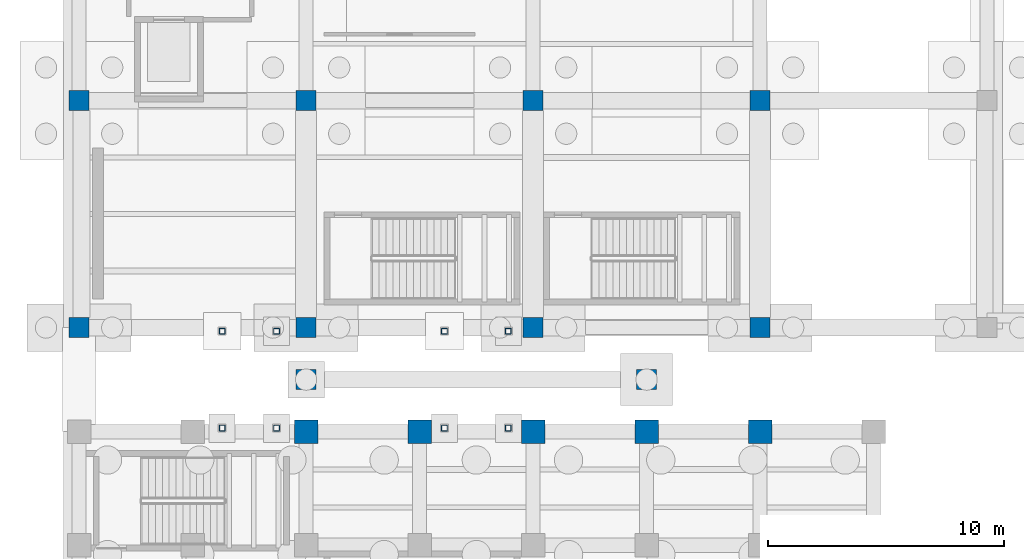
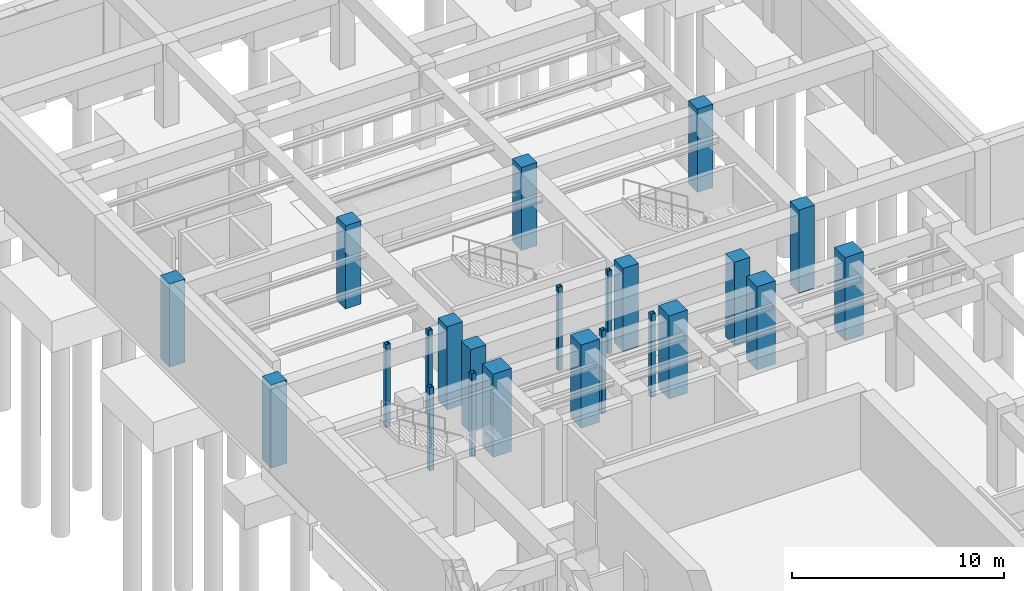
# One storey, part 18 of 56: 23 columns.
"""IFC4 building model written with IfcOpenShell, lengths in metres."""

from ifc_helpers import new_model, si_unit, direction, frame, origin, origin_2d, place, context, subcontext, project, spatial, rectangle, hollow_rectangle, extrude, material, material_profile, profile_set, type_object, element, save


model = new_model("IFC4")

# Units and contexts
model_context = context("Model", 3, precision=1e-05, world=origin(), true_north=direction((0.0, 1.0)))
body_context = subcontext(model_context, "Body", "Model", "MODEL_VIEW")
ifc_project = project(units=[si_unit("LENGTHUNIT", "METRE"), si_unit("AREAUNIT", "SQUARE_METRE"), si_unit("VOLUMEUNIT", "CUBIC_METRE"), si_unit("PLANEANGLEUNIT", "RADIAN"), si_unit("MASSUNIT", "GRAM", prefix="KILO")], contexts=[model_context])

# Site, building, storey
site_placement = place(None, origin())
site = spatial("IfcSite", under=ifc_project, at=site_placement, CompositionType="ELEMENT")
building_placement = place(site_placement, origin())
building = spatial("IfcBuilding", under=site, at=building_placement, Name="Mavantir Sound Aquarium", CompositionType="ELEMENT")
storey_placement = place(building_placement, frame((0.0, 0.0, -9.60009765625)))
storey = spatial("IfcBuildingStorey", under=building, at=storey_placement, Name="B2", CompositionType="ELEMENT", Elevation=-9.60009765625)

# Columns
ifc_material_1 = material(Name="Concrete C40/50", Category="concrete")
ifc_material_profile_1 = material_profile(ifc_material_1, rectangle(XDim=1.0, YDim=1.0, at=origin_2d()), Name="RC 1000X1000")
ifc_profile_set_1 = profile_set([ifc_material_profile_1], Name="Concrete C40/50")
column_type_1 = type_object("IfcColumnType", Name="COL-RC1000-I", PredefinedType="COLUMN", material=ifc_profile_set_1)
for number, where, z_axis, x_axis, name in (
    (1, (9.60009765625, 79.199951171875, 0.0), (0.0, 0.0, 1.0), (1.0, 0.0, 0.0), "B2 column RC-C10 (V1)"),
    (2, (14.39990234375, 79.199951171875, 0.0), (0.0, 0.0, 1.0), (1.0, 0.0, 0.0), "B2 column RC-C10 (V1)"),
    (3, (19.199951171875, 79.199951171875, 0.0), (0.0, 0.0, 1.0), (1.0, 0.0, 0.0), "B2 column RC-C10 (V1)"),
    (4, (24.0, 79.199951171875, 0.0), (0.0, 0.0, 1.0), (1.0, 0.0, 0.0), "B2 column RC-C10 (V1)"),
    (5, (28.800048828125, 79.199951171875, 0.0), (0.0, 0.0, 1.0), (1.0, 0.0, 0.0), "B2 column RC-C10 (V1)"),
):
    element("IfcColumn", number, at=place(storey_placement, frame(where, z_axis=z_axis, x_axis=x_axis)), inside=storey, type_object=column_type_1, Name=name, PredefinedType="COLUMN", context=body_context, shape_type="SweptSolid", body=[
        extrude(rectangle(XDim=1.0, YDim=1.0, at=origin_2d()), origin(), (0.0, 0.0, 1.0), 4.800048828125),
    ])
ifc_material_profile_2 = material_profile(ifc_material_1, rectangle(XDim=0.85009765625, YDim=0.85009765625, at=origin_2d()), Name="RC 850X850")
ifc_profile_set_2 = profile_set([ifc_material_profile_2], Name="Concrete C40/50")
column_type_2 = type_object("IfcColumnType", Name="COL-RC850-E", PredefinedType="COLUMN", material=ifc_profile_set_2)
for number, where, z_axis, x_axis, name in (
    (6, (0.0, 83.60009765625, 0.0), (0.0, 0.0, 1.0), (1.0, 0.0, 0.0), "B2 column RC-C85 (V5)"),
    (7, (0.0, 93.199951171875, 0.0), (0.0, 0.0, 1.0), (1.0, 0.0, 0.0), "B2 column RC-C85 (V5)"),
):
    element("IfcColumn", number, at=place(storey_placement, frame(where, z_axis=z_axis, x_axis=x_axis)), inside=storey, type_object=column_type_2, Name=name, PredefinedType="COLUMN", context=body_context, shape_type="SweptSolid", body=[
        extrude(rectangle(XDim=0.85009765625, YDim=0.85009765625, at=origin_2d()), origin(), (0.0, 0.0, 1.0), 4.800048828125),
    ])
ifc_material_profile_3 = material_profile(ifc_material_1, rectangle(XDim=0.85009765625, YDim=0.85009765625, at=origin_2d()), Name="RC 850X850")
ifc_profile_set_3 = profile_set([ifc_material_profile_3], Name="Concrete C40/50")
column_type_3 = type_object("IfcColumnType", Name="COL-RC850-I", PredefinedType="COLUMN", material=ifc_profile_set_3)
for number, where, z_axis, x_axis, name in (
    (8, (9.60009765625, 83.60009765625, 0.0), (0.0, 0.0, 1.0), (1.0, 0.0, 0.0), "B2 column RC-C85 (V5)"),
    (9, (9.60009765625, 93.199951171875, 0.0), (0.0, 0.0, 1.0), (1.0, 0.0, 0.0), "B2 column RC-C85 (V5)"),
    (10, (19.199951171875, 83.60009765625, 0.0), (0.0, 0.0, 1.0), (1.0, 0.0, 0.0), "B2 column RC-C85 (V5)"),
    (11, (19.199951171875, 93.199951171875, 0.0), (0.0, 0.0, 1.0), (1.0, 0.0, 0.0), "B2 column RC-C85 (V5)"),
    (12, (28.800048828125, 83.60009765625, 0.0), (0.0, 0.0, 1.0), (1.0, 0.0, 0.0), "B2 column RC-C85 (V5)"),
    (13, (28.800048828125, 93.199951171875, 0.0), (0.0, 0.0, 1.0), (1.0, 0.0, 0.0), "B2 column RC-C85 (V5)"),
    (14, (9.60009765625, 81.39990234375, 0.0), (0.0, 0.0, 1.0), (1.0, 0.0, 0.0), "B2 column RC-C85 (COURT)"),
    (15, (24.0, 81.39990234375, 0.0), (0.0, 0.0, 1.0), (1.0, 0.0, 0.0), "B2 column RC-C85 (COURT)"),
):
    element("IfcColumn", number, at=place(storey_placement, frame(where, z_axis=z_axis, x_axis=x_axis)), inside=storey, type_object=column_type_3, Name=name, PredefinedType="COLUMN", context=body_context, shape_type="SweptSolid", body=[
        extrude(rectangle(XDim=0.85009765625, YDim=0.85009765625, at=origin_2d()), origin(), (0.0, 0.0, 1.0), 4.800048828125),
    ])
ifc_material_2 = material(Name="Hollow Structural Steel ASTM A500 GrC", Category="steel")
ifc_material_profile_4 = material_profile(ifc_material_2, hollow_rectangle(XDim=0.25, YDim=0.25, WallThickness=0.012451171875, InnerFilletRadius=0.012451171875, OuterFilletRadius=0.02490234375, at=origin_2d()), Name="SHS 250X250X12.5")
ifc_profile_set_4 = profile_set([ifc_material_profile_4], Name="Hollow Structural Steel ASTM A500 GrC")
column_type_4 = type_object("IfcColumnType", Name="COL-SHS250-E", PredefinedType="COLUMN", material=ifc_profile_set_4)
for number, where, z_axis, x_axis, name in (
    (16, (15.449951171875, 79.35009765625, 0.0), (0.0, 0.0, 1.0), (1.0, 0.0, 0.0), "Bridge support column 3.1 (B2)"),
    (17, (15.449951171875, 83.449951171875, 0.0), (0.0, 0.0, 1.0), (1.0, 0.0, 0.0), "Bridge support column 3.2 (B2)"),
    (18, (18.14990234375, 79.35009765625, 0.0), (0.0, 0.0, 1.0), (1.0, 0.0, 0.0), "Bridge support column 3.3 (B2)"),
    (19, (18.14990234375, 83.449951171875, 0.0), (0.0, 0.0, 1.0), (1.0, 0.0, 0.0), "Bridge support column 3.4 (B2)"),
    (20, (6.050048828125, 79.35009765625, 0.0), (0.0, 0.0, 1.0), (1.0, 0.0, 0.0), "Bridge support column 5.1 (B2)"),
    (21, (6.050048828125, 83.449951171875, 0.0), (0.0, 0.0, 1.0), (1.0, 0.0, 0.0), "Bridge support column 5.2 (B2)"),
    (22, (8.35009765625, 79.35009765625, 0.0), (0.0, 0.0, 1.0), (1.0, 0.0, 0.0), "Bridge support column 5.3 (B2)"),
    (23, (8.35009765625, 83.449951171875, 0.0), (0.0, 0.0, 1.0), (1.0, 0.0, 0.0), "Bridge support column 5.4 (B2)"),
):
    element("IfcColumn", number, at=place(storey_placement, frame(where, z_axis=z_axis, x_axis=x_axis)), inside=storey, type_object=column_type_4, Name=name, PredefinedType="COLUMN", context=body_context, shape_type="SweptSolid", body=[
        extrude(hollow_rectangle(XDim=0.25, YDim=0.25, WallThickness=0.012451171875, InnerFilletRadius=0.012451171875, OuterFilletRadius=0.02490234375, at=origin_2d()), origin(), (0.0, 0.0, 1.0), 4.800048828125),
    ])

save(model, "model.ifc")
